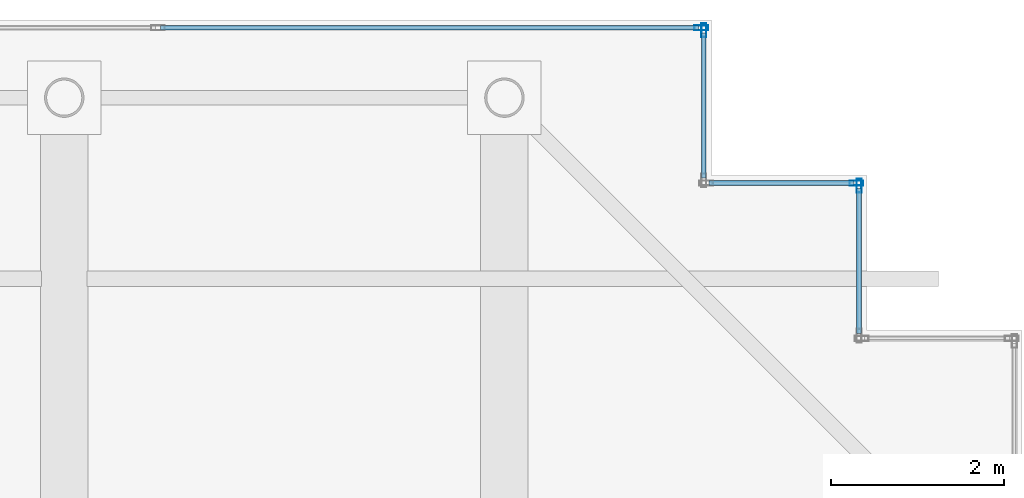
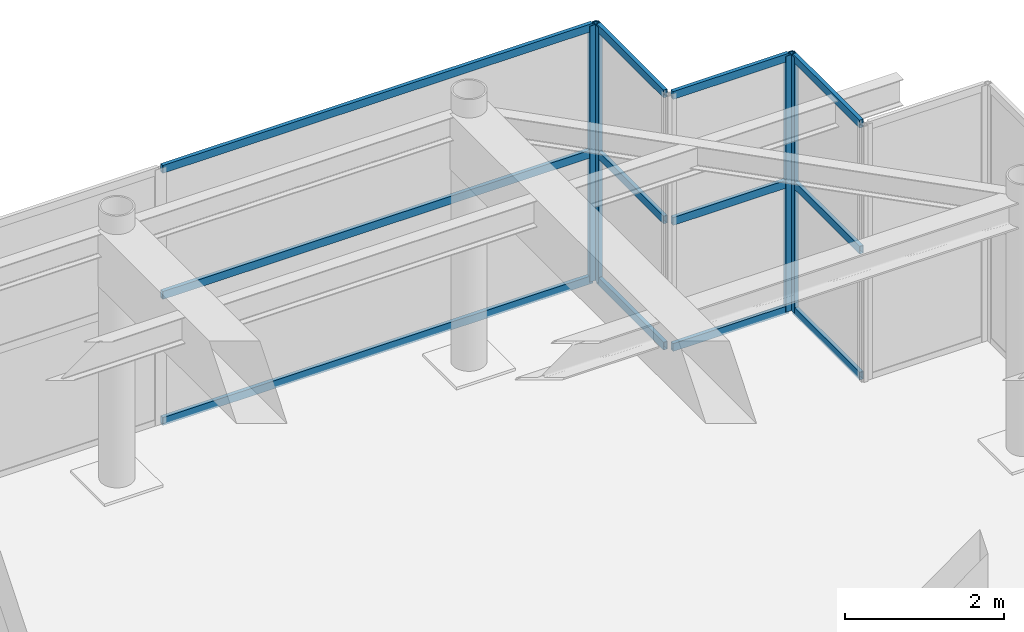
# One storey, part 27 of 32: 16 members, 4 elements without a shape of their own.
"""IFC4 building model written with IfcOpenShell, lengths in metres."""

from ifc_helpers import new_model, si_unit, direction, frame, origin, origin_2d, place, context, subcontext, project, spatial, hollow_rectangle, extrude, source, transform, mapped, material, layer, layer_set, material_profile, profile_set, type_object, element, aggregate, save


model = new_model("IFC4")

# Units and contexts
model_context = context("Model", 3, precision=1e-05, world=origin(), true_north=direction((0.0, 1.0)))
body_context = subcontext(model_context, "Body", "Model", "MODEL_VIEW")
ifc_project = project(units=[si_unit("LENGTHUNIT", "METRE"), si_unit("AREAUNIT", "SQUARE_METRE"), si_unit("VOLUMEUNIT", "CUBIC_METRE"), si_unit("PLANEANGLEUNIT", "RADIAN"), si_unit("MASSUNIT", "GRAM", prefix="KILO")], contexts=[model_context])

# Site, building, storey
site_placement = place(None, origin())
site = spatial("IfcSite", under=ifc_project, at=site_placement, CompositionType="ELEMENT")
building_placement = place(site_placement, origin())
building = spatial("IfcBuilding", under=site, at=building_placement, Name="Khoralis Quay Care Tower", CompositionType="ELEMENT")
storey_placement = place(building_placement, frame((0.0, 0.0, 293.699951171875)))
storey = spatial("IfcBuildingStorey", under=building, at=storey_placement, Name="L77", CompositionType="ELEMENT", Elevation=293.699951171875)

# Curtain wall, member
ifc_material = material(Name="Pale anodised aluminium", Category="aluminium")
ifc_layer = layer(ifc_material, 0.199951171875)
ifc_layer_set = layer_set([ifc_layer], Name="Pale anodised aluminium")
curtain_wall_type = type_object("IfcCurtainWallType", Name="CW-SYS-LANTERN", PredefinedType="NOTDEFINED", material=ifc_layer_set)
curtain_wall_1_placement = place(storey_placement, origin())
curtain_wall_1 = element("IfcCurtainWall", 1, at=curtain_wall_1_placement, inside=storey, type_object=curtain_wall_type, Name="L77 Unitised Curtain Wall CW-LN-L77-08", PredefinedType="NOTDEFINED")
ifc_material_profile_1 = material_profile(ifc_material, hollow_rectangle(XDim=0.06005859375, YDim=0.159912109375, WallThickness=0.00390625, at=origin_2d()), Name="Pale anodised aluminium")
ifc_profile_set_1 = profile_set([ifc_material_profile_1], Name="Pale anodised aluminium")
member_type_1 = type_object("IfcMemberType", Name="CW-MUL-160", PredefinedType="MULLION", material=ifc_profile_set_1)
shared_shape_1 = source(origin(), body_context, "Body", "SweptSolid", [
    extrude(hollow_rectangle(XDim=0.06005859375, YDim=0.159912109375, WallThickness=0.00390625, at=origin_2d()), origin(), (0.0, 0.0, 1.0), 3.920166015625),
])
member_1_placement = place(storey_placement, frame((40.110107421875, 40.080078125, 0.0), z_axis=(0.0, 0.0, 1.0), x_axis=(-1.0, 0.0, 0.0)))
member_1 = element("IfcMember", 2, at=member_1_placement, type_object=member_type_1, Name="CW5 mullion 2", PredefinedType="MULLION", context=body_context, shape_type="MappedRepresentation", body=[
    mapped(shared_shape_1, transform((0.0, 0.0, 0.0), scale=1.0)),
])

curtain_wall_2_placement = place(storey_placement, origin())
curtain_wall_2 = element("IfcCurtainWall", 3, at=curtain_wall_2_placement, inside=storey, type_object=curtain_wall_type, Name="L77 Unitised Curtain Wall CW-LN-L77-09", PredefinedType="NOTDEFINED")
member_2_placement = place(storey_placement, frame((40.080078125, 40.110107421875, 0.0), z_axis=(0.0, 0.0, 1.0), x_axis=(0.0, -1.0, 0.0)))
member_2 = element("IfcMember", 4, at=member_2_placement, type_object=member_type_1, Name="CW5 mullion 1", PredefinedType="MULLION", context=body_context, shape_type="MappedRepresentation", body=[
    mapped(shared_shape_1, transform((0.0, 0.0, 0.0), scale=1.0)),
])

curtain_wall_3_placement = place(storey_placement, origin())
curtain_wall_3 = element("IfcCurtainWall", 5, at=curtain_wall_3_placement, inside=storey, type_object=curtain_wall_type, Name="L77 Unitised Curtain Wall CW-LN-L77-10", PredefinedType="NOTDEFINED")
member_3_placement = place(storey_placement, frame((38.31005859375, 41.8798828125, 0.0), z_axis=(0.0, 0.0, 1.0), x_axis=(-1.0, 0.0, 0.0)))
member_3 = element("IfcMember", 6, at=member_3_placement, type_object=member_type_1, Name="CW5 mullion 2", PredefinedType="MULLION", context=body_context, shape_type="MappedRepresentation", body=[
    mapped(shared_shape_1, transform((0.0, 0.0, 0.0), scale=1.0)),
])

# Curtain wall, members
curtain_wall_4_placement = place(storey_placement, origin())
curtain_wall_4 = element("IfcCurtainWall", 7, at=curtain_wall_4_placement, inside=storey, type_object=curtain_wall_type, Name="L77 Unitised Curtain Wall CW-LN-L77-11", PredefinedType="NOTDEFINED")
member_4_placement = place(storey_placement, frame((38.280029296875, 41.909912109375, 0.0), z_axis=(0.0, 0.0, 1.0), x_axis=(0.0, -1.0, 0.0)))
member_4 = element("IfcMember", 8, at=member_4_placement, type_object=member_type_1, Name="CW5 mullion 1", PredefinedType="MULLION", context=body_context, shape_type="MappedRepresentation", body=[
    mapped(shared_shape_1, transform((0.0, 0.0, 0.0), scale=1.0)),
])
ifc_material_profile_2 = material_profile(ifc_material, hollow_rectangle(XDim=0.054931640625, YDim=0.1201171875, WallThickness=0.00390625, at=origin_2d()), Name="Pale anodised aluminium")
ifc_profile_set_2 = profile_set([ifc_material_profile_2], Name="Pale anodised aluminium")
member_type_2 = type_object("IfcMemberType", Name="CW-TRN-120", PredefinedType="USERDEFINED", material=ifc_profile_set_2)
shared_shape_2 = source(origin(), body_context, "Body", "SweptSolid", [
    extrude(hollow_rectangle(XDim=0.054931640625, YDim=0.1201171875, WallThickness=0.00390625, at=origin_2d()), origin(), (0.0, 0.0, 1.0), 6.23388671875),
])
member_5_placement = place(storey_placement, frame((38.25, 41.909912109375, 0.030029296875), z_axis=(-1.0, 0.0, 0.0), x_axis=(0.0, -1.0, 0.0)))
member_5 = element("IfcMember", 9, at=member_5_placement, type_object=member_type_2, Name="CW5 transom 1.1", ObjectType="TRANSOM", PredefinedType="USERDEFINED", context=body_context, shape_type="MappedRepresentation", body=[
    mapped(shared_shape_2, transform((0.0, 0.0, 0.0), scale=1.0)),
])
member_6_placement = place(storey_placement, frame((38.25, 41.909912109375, 1.9599609375), z_axis=(-1.0, 0.0, 0.0), x_axis=(0.0, -1.0, 0.0)))
member_6 = element("IfcMember", 10, at=member_6_placement, type_object=member_type_2, Name="CW5 transom 1.2", ObjectType="TRANSOM", PredefinedType="USERDEFINED", context=body_context, shape_type="MappedRepresentation", body=[
    mapped(shared_shape_2, transform((0.0, 0.0, 0.0), scale=1.0)),
])
member_7_placement = place(storey_placement, frame((38.25, 41.909912109375, 3.89013671875), z_axis=(-1.0, 0.0, 0.0), x_axis=(0.0, -1.0, 0.0)))
member_7 = element("IfcMember", 11, at=member_7_placement, type_object=member_type_2, Name="CW5 transom 1.3", ObjectType="TRANSOM", PredefinedType="USERDEFINED", context=body_context, shape_type="MappedRepresentation", body=[
    mapped(shared_shape_2, transform((0.0, 0.0, 0.0), scale=1.0)),
])
aggregate(curtain_wall_4, [member_4, member_5, member_6, member_7])

# Member
shared_shape_3 = source(origin(), body_context, "Body", "SweptSolid", [
    extrude(hollow_rectangle(XDim=0.054931640625, YDim=0.1201171875, WallThickness=0.00390625, at=origin_2d()), origin(), (0.0, 0.0, 1.0), 1.68017578125),
])
member_8_placement = place(storey_placement, frame((38.31005859375, 40.169921875, 0.030029296875), z_axis=(0.0, 1.0, 0.0), x_axis=(-1.0, 0.0, 0.0)))
member_8 = element("IfcMember", 12, at=member_8_placement, type_object=member_type_2, Name="CW5 transom 1.1", ObjectType="TRANSOM", PredefinedType="USERDEFINED", context=body_context, shape_type="MappedRepresentation", body=[
    mapped(shared_shape_3, transform((0.0, 0.0, 0.0), scale=1.0)),
])

member_9_placement = place(storey_placement, frame((38.31005859375, 40.169921875, 1.9599609375), z_axis=(0.0, 1.0, 0.0), x_axis=(-1.0, 0.0, 0.0)))
member_9 = element("IfcMember", 13, at=member_9_placement, type_object=member_type_2, Name="CW5 transom 1.2", ObjectType="TRANSOM", PredefinedType="USERDEFINED", context=body_context, shape_type="MappedRepresentation", body=[
    mapped(shared_shape_3, transform((0.0, 0.0, 0.0), scale=1.0)),
])

member_10_placement = place(storey_placement, frame((38.31005859375, 40.169921875, 3.89013671875), z_axis=(0.0, 1.0, 0.0), x_axis=(-1.0, 0.0, 0.0)))
member_10 = element("IfcMember", 14, at=member_10_placement, type_object=member_type_2, Name="CW5 transom 1.3", ObjectType="TRANSOM", PredefinedType="USERDEFINED", context=body_context, shape_type="MappedRepresentation", body=[
    mapped(shared_shape_3, transform((0.0, 0.0, 0.0), scale=1.0)),
])

aggregate(curtain_wall_3, [member_3, member_8, member_9, member_10])

shared_shape_4 = source(origin(), body_context, "Body", "SweptSolid", [
    extrude(hollow_rectangle(XDim=0.054931640625, YDim=0.1201171875, WallThickness=0.00390625, at=origin_2d()), origin(), (0.0, 0.0, 1.0), 1.679931640625),
])
member_11_placement = place(storey_placement, frame((40.110107421875, 38.3701171875, 0.030029296875), z_axis=(0.0, 1.0, 0.0), x_axis=(-1.0, 0.0, 0.0)))
member_11 = element("IfcMember", 15, at=member_11_placement, type_object=member_type_2, Name="CW5 transom 1.1", ObjectType="TRANSOM", PredefinedType="USERDEFINED", context=body_context, shape_type="MappedRepresentation", body=[
    mapped(shared_shape_4, transform((0.0, 0.0, 0.0), scale=1.0)),
])

member_12_placement = place(storey_placement, frame((40.110107421875, 38.3701171875, 1.9599609375), z_axis=(0.0, 1.0, 0.0), x_axis=(-1.0, 0.0, 0.0)))
member_12 = element("IfcMember", 16, at=member_12_placement, type_object=member_type_2, Name="CW5 transom 1.2", ObjectType="TRANSOM", PredefinedType="USERDEFINED", context=body_context, shape_type="MappedRepresentation", body=[
    mapped(shared_shape_4, transform((0.0, 0.0, 0.0), scale=1.0)),
])

member_13_placement = place(storey_placement, frame((40.110107421875, 38.3701171875, 3.89013671875), z_axis=(0.0, 1.0, 0.0), x_axis=(-1.0, 0.0, 0.0)))
member_13 = element("IfcMember", 17, at=member_13_placement, type_object=member_type_2, Name="CW5 transom 1.3", ObjectType="TRANSOM", PredefinedType="USERDEFINED", context=body_context, shape_type="MappedRepresentation", body=[
    mapped(shared_shape_4, transform((0.0, 0.0, 0.0), scale=1.0)),
])

aggregate(curtain_wall_1, [member_1, member_11, member_12, member_13])

member_14_placement = place(storey_placement, frame((40.050048828125, 40.110107421875, 0.030029296875), z_axis=(-1.0, 0.0, 0.0), x_axis=(0.0, -1.0, 0.0)))
member_14 = element("IfcMember", 18, at=member_14_placement, type_object=member_type_2, Name="CW5 transom 1.1", ObjectType="TRANSOM", PredefinedType="USERDEFINED", context=body_context, shape_type="MappedRepresentation", body=[
    mapped(shared_shape_4, transform((0.0, 0.0, 0.0), scale=1.0)),
])

member_15_placement = place(storey_placement, frame((40.050048828125, 40.110107421875, 1.9599609375), z_axis=(-1.0, 0.0, 0.0), x_axis=(0.0, -1.0, 0.0)))
member_15 = element("IfcMember", 19, at=member_15_placement, type_object=member_type_2, Name="CW5 transom 1.2", ObjectType="TRANSOM", PredefinedType="USERDEFINED", context=body_context, shape_type="MappedRepresentation", body=[
    mapped(shared_shape_4, transform((0.0, 0.0, 0.0), scale=1.0)),
])

member_16_placement = place(storey_placement, frame((40.050048828125, 40.110107421875, 3.89013671875), z_axis=(-1.0, 0.0, 0.0), x_axis=(0.0, -1.0, 0.0)))
member_16 = element("IfcMember", 20, at=member_16_placement, type_object=member_type_2, Name="CW5 transom 1.3", ObjectType="TRANSOM", PredefinedType="USERDEFINED", context=body_context, shape_type="MappedRepresentation", body=[
    mapped(shared_shape_4, transform((0.0, 0.0, 0.0), scale=1.0)),
])

aggregate(curtain_wall_2, [member_2, member_14, member_15, member_16])

save(model, "model.ifc")
